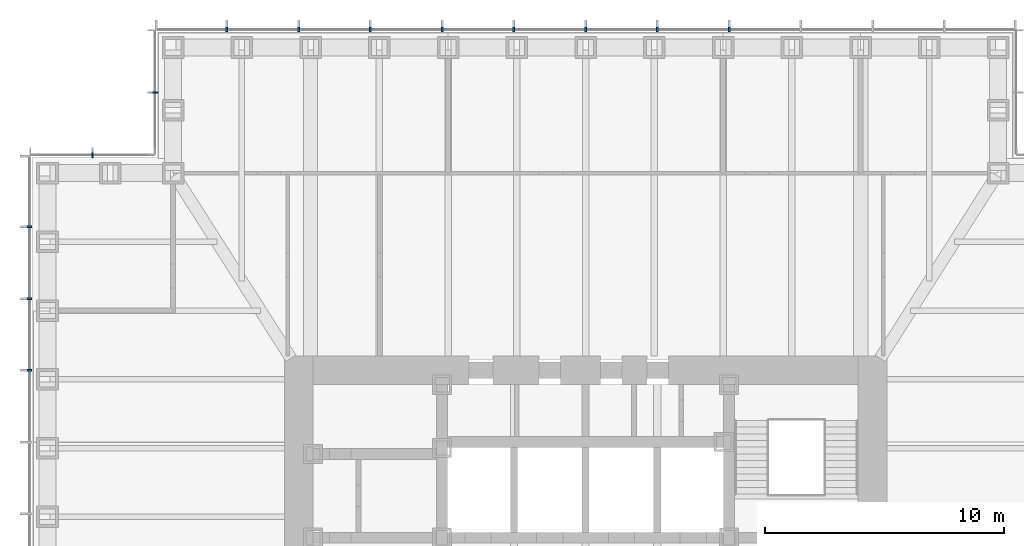
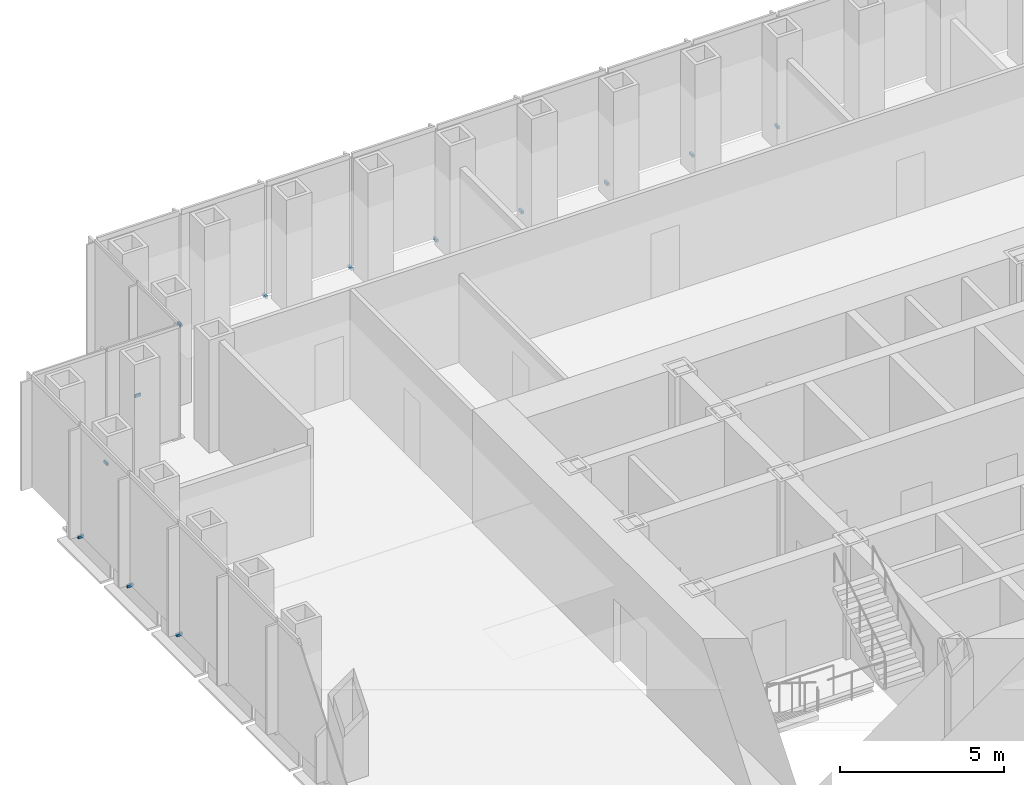
# One storey, part 15 of 17: 13 discrete accessories.
"""IFC4 building model written with IfcOpenShell, lengths in metres."""

from ifc_helpers import new_model, si_unit, direction, frame, origin, origin_2d, place, context, subcontext, project, spatial, rectangle, extrude, element, save


model = new_model("IFC4")

# Units and contexts
model_context = context("Model", 3, precision=1e-05, world=origin(), true_north=direction((0.0, 1.0)))
body_context = subcontext(model_context, "Body", "Model", "MODEL_VIEW")
ifc_project = project(units=[si_unit("LENGTHUNIT", "METRE"), si_unit("AREAUNIT", "SQUARE_METRE"), si_unit("VOLUMEUNIT", "CUBIC_METRE"), si_unit("PLANEANGLEUNIT", "RADIAN"), si_unit("MASSUNIT", "GRAM", prefix="KILO")], contexts=[model_context])

# Site, building, storey
site_placement = place(None, origin())
site = spatial("IfcSite", under=ifc_project, at=site_placement, CompositionType="ELEMENT")
building_placement = place(site_placement, origin())
building = spatial("IfcBuilding", under=site, at=building_placement, Name="Daluyong Arena Tower", CompositionType="ELEMENT")
storey_placement = place(building_placement, frame((0.0, 0.0, 166.89990234375)))
storey = spatial("IfcBuildingStorey", under=building, at=storey_placement, Name="L37", CompositionType="ELEMENT", Elevation=166.89990234375)

# Discrete accessories
for number, where, z_axis, x_axis, name in (
    (1, (62.0, 103.25, -0.099853515625), (0.0, 0.0, 1.0), (-1.0, 0.0, 0.0), "curtain wall L37 N anchor bracket 5"),
    (2, (59.0, 103.25, -0.099853515625), (0.0, 0.0, 1.0), (-1.0, 0.0, 0.0), "curtain wall L37 N anchor bracket 6"),
    (3, (56.0, 103.25, -0.099853515625), (0.0, 0.0, 1.0), (-1.0, 0.0, 0.0), "curtain wall L37 N anchor bracket 7"),
    (4, (53.0, 103.25, -0.099853515625), (0.0, 0.0, 1.0), (-1.0, 0.0, 0.0), "curtain wall L37 N anchor bracket 8"),
    (5, (50.0, 103.25, -0.099853515625), (0.0, 0.0, 1.0), (-1.0, 0.0, 0.0), "curtain wall L37 N anchor bracket 9"),
    (6, (47.0, 103.25, -0.099853515625), (0.0, 0.0, 1.0), (-1.0, 0.0, 0.0), "curtain wall L37 N anchor bracket 10"),
    (7, (44.0, 103.25, -0.099853515625), (0.0, 0.0, 1.0), (-1.0, 0.0, 0.0), "curtain wall L37 N anchor bracket 11"),
    (8, (41.0, 103.25, -0.099853515625), (0.0, 0.0, 1.0), (-1.0, 0.0, 0.0), "curtain wall L37 N anchor bracket 12"),
):
    element("IfcDiscreteAccessory", number, at=place(storey_placement, frame(where, z_axis=z_axis, x_axis=x_axis)), inside=storey, Name=name, PredefinedType="BRACKET", context=body_context, shape_type="SweptSolid", body=[
        extrude(rectangle(XDim=0.080078125, YDim=0.199951171875, at=origin_2d()), origin(), (0.0, 0.0, 1.0), 0.10009765625),
    ])
for number, where, z_axis, x_axis, name in (
    (9, (38.0, 100.625, -0.099853515625), (0.0, 0.0, 1.0), (0.0, -1.0, 0.0), "curtain wall L37 NW-W anchor bracket 2"),
    (10, (35.375, 98.0, -0.099853515625), (0.0, 0.0, 1.0), (-1.0, 0.0, 0.0), "curtain wall L37 NW-N anchor bracket 2"),
):
    element("IfcDiscreteAccessory", number, at=place(storey_placement, frame(where, z_axis=z_axis, x_axis=x_axis)), inside=storey, Name=name, PredefinedType="BRACKET", context=body_context, shape_type="SweptSolid", body=[
        extrude(rectangle(XDim=0.06005859375, YDim=0.199951171875, at=origin_2d()), origin(), (0.0, 0.0, 1.0), 0.10009765625),
    ])
for number, where, z_axis, x_axis, name in (
    (11, (32.75, 95.0, -0.099853515625), (0.0, 0.0, 1.0), (0.0, -1.0, 0.0), "curtain wall L37 W anchor bracket 2"),
    (12, (32.75, 92.0, -0.099853515625), (0.0, 0.0, 1.0), (0.0, -1.0, 0.0), "curtain wall L37 W anchor bracket 3"),
    (13, (32.75, 89.0, -0.099853515625), (0.0, 0.0, 1.0), (0.0, -1.0, 0.0), "curtain wall L37 W anchor bracket 4"),
):
    element("IfcDiscreteAccessory", number, at=place(storey_placement, frame(where, z_axis=z_axis, x_axis=x_axis)), inside=storey, Name=name, PredefinedType="BRACKET", context=body_context, shape_type="SweptSolid", body=[
        extrude(rectangle(XDim=0.080078125, YDim=0.199951171875, at=origin_2d()), origin(), (0.0, 0.0, 1.0), 0.10009765625),
    ])

save(model, "model.ifc")
